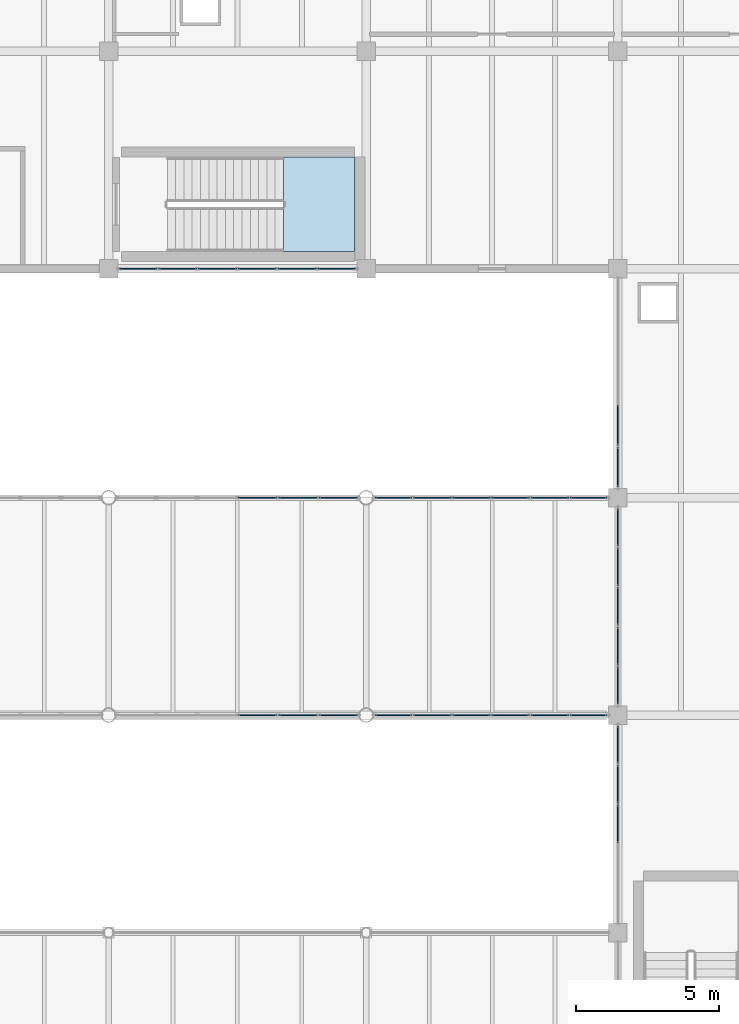
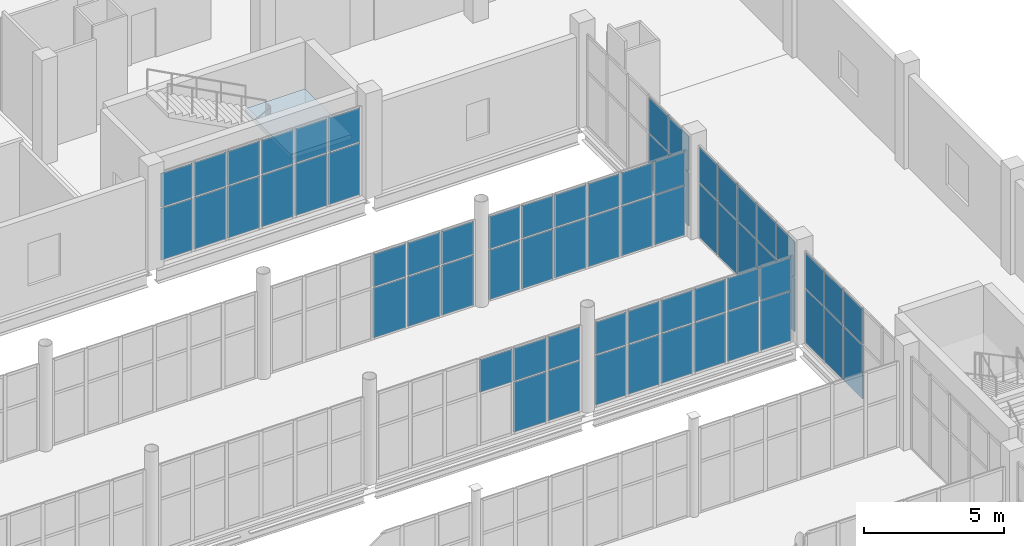
# One storey, part 140 of 172: 67 plates, 1 slab, 9 elements without a shape of their own.
"""IFC4 building model written with IfcOpenShell, lengths in metres."""

import ifcopenshell
import ifcopenshell.guid

model = None  # the IFC model being written
_history = None  # IfcOwnerHistory: only IFC2X3 demands one
_inside = {}  # id of a spatial element -> (the spatial element, [elements in it])
_under = {}  # id of a project, library or spatial element -> (it, [spatial elements below it])
_declared = {}  # id of a project -> (the project, [libraries it declares])
_typed = {}  # id of a type object -> (the type object, [elements of that type])
_made_of = {}  # id of a material, layer set ... -> (it, [elements and type objects made of it])


def new_model(schema):
    """Start an empty IFC model of exactly this schema.

    Asked for "IFC4X3", IfcOpenShell would pick the latest addendum, in which some entities
    have other attributes; the version numbers below select the first issue.
    IFC2X3 requires an IfcOwnerHistory on every rooted entity: one is made here for all.
    """
    global model, _history
    if schema == "IFC4X3":
        model = ifcopenshell.file(schema_version=(4, 3, 0, 0))
    else:
        model = ifcopenshell.file(schema=schema)
    _inside.clear()
    _under.clear()
    _declared.clear()
    _typed.clear()
    _made_of.clear()
    _history = None
    if model.schema == "IFC2X3":
        org = make("IfcOrganization", Name="unknown")
        user = make(
            "IfcPersonAndOrganization",
            ThePerson=make("IfcPerson", FamilyName="unknown"),
            TheOrganization=org,
        )
        app = make(
            "IfcApplication",
            ApplicationDeveloper=org,
            Version="unknown",
            ApplicationFullName="unknown",
            ApplicationIdentifier="unknown",
        )
        _history = make(
            "IfcOwnerHistory",
            OwningUser=user,
            OwningApplication=app,
            ChangeAction="ADDED",
            CreationDate=0,
        )
    return model


def make(cls, **values):
    """One entity of the class cls with the attributes given. An attribute that is None is left unset."""
    return model.create_entity(
        cls, **{name: value for name, value in values.items() if value is not None}
    )


def rooted(cls, **values):
    """An entity with a GlobalId (a new one), such as an element, a storey or a relation."""
    return make(cls, GlobalId=ifcopenshell.guid.new(), OwnerHistory=_history, **values)


def si_unit(unit_type, name, prefix=None):
    """IfcSIUnit, for example si_unit("LENGTHUNIT", "METRE", prefix="MILLI")."""
    return make("IfcSIUnit", UnitType=unit_type, Prefix=prefix, Name=name)


def assignment(units):
    """IfcUnitAssignment: the units of a project."""
    return None if units is None else make("IfcUnitAssignment", Units=units)


def point(xyz):
    """IfcCartesianPoint."""
    return None if xyz is None else make("IfcCartesianPoint", Coordinates=xyz)


def direction(xyz):
    """IfcDirection."""
    return None if xyz is None else make("IfcDirection", DirectionRatios=xyz)


def frame(location, z_axis=None, x_axis=None):
    """IfcAxis2Placement3D, a coordinate frame: its origin and axes. An axis left out is left unset."""
    return make(
        "IfcAxis2Placement3D",
        Location=point(location),
        Axis=direction(z_axis),
        RefDirection=direction(x_axis),
    )


def frame_2d(location, x_axis=None):
    """IfcAxis2Placement2D, a coordinate frame in the plane: its origin and x axis."""
    return make(
        "IfcAxis2Placement2D", Location=point(location), RefDirection=direction(x_axis)
    )


def origin():
    """The frame at (0, 0, 0) with its axes left unset."""
    return frame((0.0, 0.0, 0.0))


def origin_2d():
    """The frame at (0, 0) in the plane with its x axis left unset."""
    return frame_2d((0.0, 0.0))


def place(relative_to, where):
    """IfcLocalPlacement: puts the frame where relative to a parent placement (None: the world)."""
    return make(
        "IfcLocalPlacement", PlacementRelTo=relative_to, RelativePlacement=where
    )


def context(
    kind, dimensions, precision=None, world=None, true_north=None, identifier=None
):
    """IfcGeometricRepresentationContext, for example the 3D "Model" context."""
    return make(
        "IfcGeometricRepresentationContext",
        ContextIdentifier=identifier,
        ContextType=kind,
        CoordinateSpaceDimension=dimensions,
        Precision=precision,
        WorldCoordinateSystem=world,
        TrueNorth=true_north,
    )


def subcontext(parent, identifier, kind, view, scale=None):
    """IfcGeometricRepresentationSubContext, for example "Body" below "Model"."""
    return make(
        "IfcGeometricRepresentationSubContext",
        ContextIdentifier=identifier,
        ContextType=kind,
        ParentContext=parent,
        TargetScale=scale,
        TargetView=view,
    )


def project(units=None, contexts=None):
    """IfcProject with its units and contexts."""
    return rooted(
        "IfcProject",
        Name="project",
        RepresentationContexts=contexts,
        UnitsInContext=assignment(units),
    )


def spatial(cls, under=None, at=None, **own):
    """A site, building, storey or space (cls), placed at a placement, below another one or the project."""
    s = rooted(cls, ObjectPlacement=at, **own)
    if under is not None:
        _under.setdefault(under.id(), (under, []))[1].append(s)
    return s


def polyline(points):
    """IfcPolyline through the points."""
    return make("IfcPolyline", Points=[point(p) for p in points])


def profile(cls, at=None, kind="AREA", **sizes):
    """A parametric profile (cls). Its sizes go by their IFC names, for example OverallWidth=200.0."""
    return make(cls, ProfileType=kind, Position=at, **sizes)


def rectangle(**sizes):
    """IfcRectangleProfileDef."""
    return profile("IfcRectangleProfileDef", **sizes)


def outline(outer, holes=None, kind="AREA"):
    """IfcArbitraryClosedProfileDef: a profile drawn as a closed curve; with holes, ...WithVoids."""
    if holes is None:
        return make("IfcArbitraryClosedProfileDef", ProfileType=kind, OuterCurve=outer)
    return make(
        "IfcArbitraryProfileDefWithVoids",
        ProfileType=kind,
        OuterCurve=outer,
        InnerCurves=holes,
    )


def extrude(swept, where, along, depth):
    """IfcExtrudedAreaSolid: the profile swept, set in the frame where, extruded along a direction by depth."""
    return make(
        "IfcExtrudedAreaSolid",
        SweptArea=swept,
        Position=where,
        ExtrudedDirection=direction(along),
        Depth=depth,
    )


def shape(context_of_items, identifier, shape_type, items):
    """IfcShapeRepresentation: the items that make up one representation, for example the "Body"."""
    return make(
        "IfcShapeRepresentation",
        ContextOfItems=context_of_items,
        RepresentationIdentifier=identifier,
        RepresentationType=shape_type,
        Items=items,
    )


def material(Name=None, Category=None):
    """IfcMaterial."""
    return make("IfcMaterial", Name=Name, Category=Category)


def layer(
    of_material, thickness, ventilated=None, Name=None, Category=None, Priority=None
):
    """IfcMaterialLayer: one layer of a wall or slab, of a material (None: an air gap)."""
    return make(
        "IfcMaterialLayer",
        Material=of_material,
        LayerThickness=thickness,
        IsVentilated=ventilated,
        Name=Name,
        Category=Category,
        Priority=Priority,
    )


def layer_set(layers, Name=None):
    """IfcMaterialLayerSet."""
    return make("IfcMaterialLayerSet", MaterialLayers=layers, LayerSetName=Name)


def made_of(thing, what):
    """Note that an element or type object is made of a material, layer set ...; save() writes the relation."""
    if what is not None:
        _made_of.setdefault(what.id(), (what, []))[1].append(thing)
    return thing


def type_object(cls, material=None, **own):
    """A type object (cls), such as IfcWallType, which elements share."""
    return made_of(rooted(cls, **own), material)


def element(
    cls,
    number,
    at=None,
    inside=None,
    cuts=None,
    type_object=None,
    material=None,
    context=None,
    identifier="Body",
    shape_type=None,
    held_by="IfcProductDefinitionShape",
    body=None,
    shapes=None,
    **own,
):
    """One element of the class cls, such as IfcWall. Its Tag is "e" and its number.

    at: its placement. inside: the storey or other place that contains it. cuts: it is an
    opening in that element (IfcRelVoidsElement). A single representation is given by context,
    identifier, shape_type and body (its items); several are given by shapes. held_by: the class
    of the entity that holds the representations. save() writes the other relations.
    """
    e = rooted(cls, Tag="e%d" % number, ObjectPlacement=at, **own)
    if body is not None:
        shapes = [shape(context, identifier, shape_type, body)]
    if shapes is not None:
        e.Representation = make(held_by, Representations=shapes)
    if inside is not None:
        _inside.setdefault(inside.id(), (inside, []))[1].append(e)
    if cuts is not None:
        rooted(
            "IfcRelVoidsElement", RelatingBuildingElement=cuts, RelatedOpeningElement=e
        )
    if type_object is not None:
        _typed.setdefault(type_object.id(), (type_object, []))[1].append(e)
    return made_of(e, material)


def aggregate(whole, parts):
    """IfcRelAggregates: a whole, such as a stair, and the parts it consists of."""
    return rooted("IfcRelAggregates", RelatingObject=whole, RelatedObjects=parts)


def save(model, path):
    """Write the relations noted so far, then the file.

    IfcRelAggregates (storeys below a building ...), IfcRelContainedInSpatialStructure (elements
    in a storey), IfcRelDefinesByType, IfcRelAssociatesMaterial and IfcRelDeclares: one each for
    every whole, place, type object, material and project.
    """
    for whole, parts in _under.values():
        aggregate(whole, parts)
    for where, things in _inside.values():
        rooted(
            "IfcRelContainedInSpatialStructure",
            RelatedElements=things,
            RelatingStructure=where,
        )
    for kind, things in _typed.values():
        rooted("IfcRelDefinesByType", RelatedObjects=things, RelatingType=kind)
    for what, things in _made_of.values():
        rooted("IfcRelAssociatesMaterial", RelatedObjects=things, RelatingMaterial=what)
    for by, libraries in _declared.values():
        rooted("IfcRelDeclares", RelatingContext=by, RelatedDefinitions=libraries)
    model.write(path)


model = new_model("IFC4")

# Units and contexts
model_context = context("Model", 3, precision=1e-05, world=origin(), true_north=direction((0.0, 1.0)))
body_context = subcontext(model_context, "Body", "Model", "MODEL_VIEW")
ifc_project = project(units=[si_unit("LENGTHUNIT", "METRE"), si_unit("AREAUNIT", "SQUARE_METRE"), si_unit("VOLUMEUNIT", "CUBIC_METRE"), si_unit("PLANEANGLEUNIT", "RADIAN"), si_unit("MASSUNIT", "GRAM", prefix="KILO")], contexts=[model_context])

# Site, building, storey
site_placement = place(None, origin())
site = spatial("IfcSite", under=ifc_project, at=site_placement, CompositionType="ELEMENT")
building_placement = place(site_placement, origin())
building = spatial("IfcBuilding", under=site, at=building_placement, Name="Shengluoqiao Park Theatre", CompositionType="ELEMENT")
storey_placement = place(building_placement, frame((0.0, 0.0, 5.39990234375)))
storey = spatial("IfcBuildingStorey", under=building, at=storey_placement, Name="L01", CompositionType="ELEMENT", Elevation=5.39990234375)

# Curtain wall, plates
ifc_material_1 = material(Name="Aluminium 6063-T6", Category="aluminium")
curtain_wall_type_1 = type_object("IfcCurtainWallType", Name="ENV-CW-BRIDGE", PredefinedType="NOTDEFINED", material=ifc_material_1)
curtain_wall_1_placement = place(storey_placement, origin())
curtain_wall_1 = element("IfcCurtainWall", 1, at=curtain_wall_1_placement, inside=storey, type_object=curtain_wall_type_1, Name="L01 Curtain Wall CWX-L01-0097", PredefinedType="NOTDEFINED")
ifc_material_2 = material(Name="Insulated glass", Category="glass")
ifc_layer_1 = layer(ifc_material_2, 0.0380859375, Name="Insulated glass")
ifc_layer_set_1 = layer_set([ifc_layer_1], Name="Insulated glass")
plate_type = type_object("IfcPlateType", Name="ENV-GLZ-GL-38", PredefinedType="CURTAIN_PANEL", material=ifc_layer_set_1)
plate_1_placement = place(storey_placement, frame((144.60693359375, 68.39990234375, 2.293212890625), z_axis=(0.0, 0.0, 1.0), x_axis=(1.0, 0.0, 0.0)))
plate_1 = element("IfcPlate", 2, at=plate_1_placement, type_object=plate_type, Name="CW-03 panel 4.2", PredefinedType="CURTAIN_PANEL", context=body_context, shape_type="SweptSolid", body=[
    extrude(rectangle(XDim=1.35400390625, YDim=0.0380859375, at=origin_2d()), origin(), (0.0, 0.0, 1.0), 1.4189453125),
])
plate_2_placement = place(storey_placement, frame((146.02099609375, 68.39990234375, 0.06005859375), z_axis=(0.0, 0.0, 1.0), x_axis=(1.0, 0.0, 0.0)))
plate_2 = element("IfcPlate", 3, at=plate_2_placement, type_object=plate_type, Name="CW-03 panel 5.1", PredefinedType="CURTAIN_PANEL", context=body_context, shape_type="SweptSolid", body=[
    extrude(rectangle(XDim=1.35400390625, YDim=0.0380859375, at=origin_2d()), origin(), (0.0, 0.0, 1.0), 2.173095703125),
])
plate_3_placement = place(storey_placement, frame((146.02099609375, 68.39990234375, 2.293212890625), z_axis=(0.0, 0.0, 1.0), x_axis=(1.0, 0.0, 0.0)))
plate_3 = element("IfcPlate", 4, at=plate_3_placement, type_object=plate_type, Name="CW-03 panel 5.2", PredefinedType="CURTAIN_PANEL", context=body_context, shape_type="SweptSolid", body=[
    extrude(rectangle(XDim=1.35400390625, YDim=0.0380859375, at=origin_2d()), origin(), (0.0, 0.0, 1.0), 1.4189453125),
])
plate_4_placement = place(storey_placement, frame((147.419921875, 68.39990234375, 0.06005859375), z_axis=(0.0, 0.0, 1.0), x_axis=(1.0, 0.0, 0.0)))
plate_4 = element("IfcPlate", 5, at=plate_4_placement, type_object=plate_type, Name="CW-03 panel 6.1", PredefinedType="CURTAIN_PANEL", context=body_context, shape_type="SweptSolid", body=[
    extrude(rectangle(XDim=1.323974609375, YDim=0.0380859375, at=origin_2d()), origin(), (0.0, 0.0, 1.0), 2.173095703125),
])
plate_5_placement = place(storey_placement, frame((147.419921875, 68.39990234375, 2.293212890625), z_axis=(0.0, 0.0, 1.0), x_axis=(1.0, 0.0, 0.0)))
plate_5 = element("IfcPlate", 6, at=plate_5_placement, type_object=plate_type, Name="CW-03 panel 6.2", PredefinedType="CURTAIN_PANEL", context=body_context, shape_type="SweptSolid", body=[
    extrude(rectangle(XDim=1.323974609375, YDim=0.0380859375, at=origin_2d()), origin(), (0.0, 0.0, 1.0), 1.4189453125),
])
aggregate(curtain_wall_1, [plate_1, plate_2, plate_3, plate_4, plate_5])

curtain_wall_2_placement = place(storey_placement, origin())
curtain_wall_2 = element("IfcCurtainWall", 7, at=curtain_wall_2_placement, inside=storey, type_object=curtain_wall_type_1, Name="L01 Curtain Wall CWX-L01-0098", PredefinedType="NOTDEFINED")
plate_6_placement = place(storey_placement, frame((149.357421875, 68.39990234375, 0.06005859375), z_axis=(0.0, 0.0, 1.0), x_axis=(1.0, 0.0, 0.0)))
plate_6 = element("IfcPlate", 8, at=plate_6_placement, type_object=plate_type, Name="CW-03 panel 1.1", PredefinedType="CURTAIN_PANEL", context=body_context, shape_type="SweptSolid", body=[
    extrude(rectangle(XDim=1.27880859375, YDim=0.0380859375, at=origin_2d()), origin(), (0.0, 0.0, 1.0), 2.155029296875),
])
plate_7_placement = place(storey_placement, frame((149.357421875, 68.39990234375, 2.27490234375), z_axis=(0.0, 0.0, 1.0), x_axis=(1.0, 0.0, 0.0)))
plate_7 = element("IfcPlate", 9, at=plate_7_placement, type_object=plate_type, Name="CW-03 panel 1.2", PredefinedType="CURTAIN_PANEL", context=body_context, shape_type="SweptSolid", body=[
    extrude(rectangle(XDim=1.27880859375, YDim=0.0380859375, at=origin_2d()), origin(), (0.0, 0.0, 1.0), 1.406982421875),
])
plate_8_placement = place(storey_placement, frame((150.711181640625, 68.39990234375, 0.06005859375), z_axis=(0.0, 0.0, 1.0), x_axis=(1.0, 0.0, 0.0)))
plate_8 = element("IfcPlate", 10, at=plate_8_placement, type_object=plate_type, Name="CW-03 panel 2.1", PredefinedType="CURTAIN_PANEL", context=body_context, shape_type="SweptSolid", body=[
    extrude(rectangle(XDim=1.308837890625, YDim=0.0380859375, at=origin_2d()), origin(), (0.0, 0.0, 1.0), 2.155029296875),
])
plate_9_placement = place(storey_placement, frame((150.711181640625, 68.39990234375, 2.27490234375), z_axis=(0.0, 0.0, 1.0), x_axis=(1.0, 0.0, 0.0)))
plate_9 = element("IfcPlate", 11, at=plate_9_placement, type_object=plate_type, Name="CW-03 panel 2.2", PredefinedType="CURTAIN_PANEL", context=body_context, shape_type="SweptSolid", body=[
    extrude(rectangle(XDim=1.308837890625, YDim=0.0380859375, at=origin_2d()), origin(), (0.0, 0.0, 1.0), 1.406982421875),
])
plate_10_placement = place(storey_placement, frame((152.080078125, 68.39990234375, 0.06005859375), z_axis=(0.0, 0.0, 1.0), x_axis=(1.0, 0.0, 0.0)))
plate_10 = element("IfcPlate", 12, at=plate_10_placement, type_object=plate_type, Name="CW-03 panel 3.1", PredefinedType="CURTAIN_PANEL", context=body_context, shape_type="SweptSolid", body=[
    extrude(rectangle(XDim=1.308837890625, YDim=0.0380859375, at=origin_2d()), origin(), (0.0, 0.0, 1.0), 2.155029296875),
])
plate_11_placement = place(storey_placement, frame((152.080078125, 68.39990234375, 2.27490234375), z_axis=(0.0, 0.0, 1.0), x_axis=(1.0, 0.0, 0.0)))
plate_11 = element("IfcPlate", 13, at=plate_11_placement, type_object=plate_type, Name="CW-03 panel 3.2", PredefinedType="CURTAIN_PANEL", context=body_context, shape_type="SweptSolid", body=[
    extrude(rectangle(XDim=1.308837890625, YDim=0.0380859375, at=origin_2d()), origin(), (0.0, 0.0, 1.0), 1.406982421875),
])
plate_12_placement = place(storey_placement, frame((153.448974609375, 68.39990234375, 0.06005859375), z_axis=(0.0, 0.0, 1.0), x_axis=(1.0, 0.0, 0.0)))
plate_12 = element("IfcPlate", 14, at=plate_12_placement, type_object=plate_type, Name="CW-03 panel 4.1", PredefinedType="CURTAIN_PANEL", context=body_context, shape_type="SweptSolid", body=[
    extrude(rectangle(XDim=1.308837890625, YDim=0.0380859375, at=origin_2d()), origin(), (0.0, 0.0, 1.0), 2.155029296875),
])
plate_13_placement = place(storey_placement, frame((153.448974609375, 68.39990234375, 2.27490234375), z_axis=(0.0, 0.0, 1.0), x_axis=(1.0, 0.0, 0.0)))
plate_13 = element("IfcPlate", 15, at=plate_13_placement, type_object=plate_type, Name="CW-03 panel 4.2", PredefinedType="CURTAIN_PANEL", context=body_context, shape_type="SweptSolid", body=[
    extrude(rectangle(XDim=1.308837890625, YDim=0.0380859375, at=origin_2d()), origin(), (0.0, 0.0, 1.0), 1.406982421875),
])
plate_14_placement = place(storey_placement, frame((154.81787109375, 68.39990234375, 0.06005859375), z_axis=(0.0, 0.0, 1.0), x_axis=(1.0, 0.0, 0.0)))
plate_14 = element("IfcPlate", 16, at=plate_14_placement, type_object=plate_type, Name="CW-03 panel 5.1", PredefinedType="CURTAIN_PANEL", context=body_context, shape_type="SweptSolid", body=[
    extrude(rectangle(XDim=1.308837890625, YDim=0.0380859375, at=origin_2d()), origin(), (0.0, 0.0, 1.0), 2.155029296875),
])
plate_15_placement = place(storey_placement, frame((154.81787109375, 68.39990234375, 2.27490234375), z_axis=(0.0, 0.0, 1.0), x_axis=(1.0, 0.0, 0.0)))
plate_15 = element("IfcPlate", 17, at=plate_15_placement, type_object=plate_type, Name="CW-03 panel 5.2", PredefinedType="CURTAIN_PANEL", context=body_context, shape_type="SweptSolid", body=[
    extrude(rectangle(XDim=1.308837890625, YDim=0.0380859375, at=origin_2d()), origin(), (0.0, 0.0, 1.0), 1.406982421875),
])
plate_16_placement = place(storey_placement, frame((156.171630859375, 68.39990234375, 0.06005859375), z_axis=(0.0, 0.0, 1.0), x_axis=(1.0, 0.0, 0.0)))
plate_16 = element("IfcPlate", 18, at=plate_16_placement, type_object=plate_type, Name="CW-03 panel 6.1", PredefinedType="CURTAIN_PANEL", context=body_context, shape_type="SweptSolid", body=[
    extrude(rectangle(XDim=1.27880859375, YDim=0.0380859375, at=origin_2d()), origin(), (0.0, 0.0, 1.0), 2.155029296875),
])
plate_17_placement = place(storey_placement, frame((156.171630859375, 68.39990234375, 2.27490234375), z_axis=(0.0, 0.0, 1.0), x_axis=(1.0, 0.0, 0.0)))
plate_17 = element("IfcPlate", 19, at=plate_17_placement, type_object=plate_type, Name="CW-03 panel 6.2", PredefinedType="CURTAIN_PANEL", context=body_context, shape_type="SweptSolid", body=[
    extrude(rectangle(XDim=1.27880859375, YDim=0.0380859375, at=origin_2d()), origin(), (0.0, 0.0, 1.0), 1.406982421875),
])
aggregate(curtain_wall_2, [plate_6, plate_7, plate_8, plate_9, plate_10, plate_11, plate_12, plate_13, plate_14, plate_15, plate_16, plate_17])

curtain_wall_3_placement = place(storey_placement, origin())
curtain_wall_3 = element("IfcCurtainWall", 20, at=curtain_wall_3_placement, inside=storey, type_object=curtain_wall_type_1, Name="L01 Curtain Wall CWX-L01-0105", PredefinedType="NOTDEFINED")
plate_18_placement = place(storey_placement, frame((144.60693359375, 76.0, 0.06005859375), z_axis=(0.0, 0.0, 1.0), x_axis=(1.0, 0.0, 0.0)))
plate_18 = element("IfcPlate", 21, at=plate_18_placement, type_object=plate_type, Name="CW-03 panel 4.1", PredefinedType="CURTAIN_PANEL", context=body_context, shape_type="SweptSolid", body=[
    extrude(rectangle(XDim=1.35400390625, YDim=0.0380859375, at=origin_2d()), origin(), (0.0, 0.0, 1.0), 2.173095703125),
])
plate_19_placement = place(storey_placement, frame((144.60693359375, 76.0, 2.293212890625), z_axis=(0.0, 0.0, 1.0), x_axis=(1.0, 0.0, 0.0)))
plate_19 = element("IfcPlate", 22, at=plate_19_placement, type_object=plate_type, Name="CW-03 panel 4.2", PredefinedType="CURTAIN_PANEL", context=body_context, shape_type="SweptSolid", body=[
    extrude(rectangle(XDim=1.35400390625, YDim=0.0380859375, at=origin_2d()), origin(), (0.0, 0.0, 1.0), 1.4189453125),
])
plate_20_placement = place(storey_placement, frame((146.02099609375, 76.0, 0.06005859375), z_axis=(0.0, 0.0, 1.0), x_axis=(1.0, 0.0, 0.0)))
plate_20 = element("IfcPlate", 23, at=plate_20_placement, type_object=plate_type, Name="CW-03 panel 5.1", PredefinedType="CURTAIN_PANEL", context=body_context, shape_type="SweptSolid", body=[
    extrude(rectangle(XDim=1.35400390625, YDim=0.0380859375, at=origin_2d()), origin(), (0.0, 0.0, 1.0), 2.173095703125),
])
plate_21_placement = place(storey_placement, frame((146.02099609375, 76.0, 2.293212890625), z_axis=(0.0, 0.0, 1.0), x_axis=(1.0, 0.0, 0.0)))
plate_21 = element("IfcPlate", 24, at=plate_21_placement, type_object=plate_type, Name="CW-03 panel 5.2", PredefinedType="CURTAIN_PANEL", context=body_context, shape_type="SweptSolid", body=[
    extrude(rectangle(XDim=1.35400390625, YDim=0.0380859375, at=origin_2d()), origin(), (0.0, 0.0, 1.0), 1.4189453125),
])
plate_22_placement = place(storey_placement, frame((147.419921875, 76.0, 0.06005859375), z_axis=(0.0, 0.0, 1.0), x_axis=(1.0, 0.0, 0.0)))
plate_22 = element("IfcPlate", 25, at=plate_22_placement, type_object=plate_type, Name="CW-03 panel 6.1", PredefinedType="CURTAIN_PANEL", context=body_context, shape_type="SweptSolid", body=[
    extrude(rectangle(XDim=1.323974609375, YDim=0.0380859375, at=origin_2d()), origin(), (0.0, 0.0, 1.0), 2.173095703125),
])
plate_23_placement = place(storey_placement, frame((147.419921875, 76.0, 2.293212890625), z_axis=(0.0, 0.0, 1.0), x_axis=(1.0, 0.0, 0.0)))
plate_23 = element("IfcPlate", 26, at=plate_23_placement, type_object=plate_type, Name="CW-03 panel 6.2", PredefinedType="CURTAIN_PANEL", context=body_context, shape_type="SweptSolid", body=[
    extrude(rectangle(XDim=1.323974609375, YDim=0.0380859375, at=origin_2d()), origin(), (0.0, 0.0, 1.0), 1.4189453125),
])
aggregate(curtain_wall_3, [plate_18, plate_19, plate_20, plate_21, plate_22, plate_23])

curtain_wall_4_placement = place(storey_placement, origin())
curtain_wall_4 = element("IfcCurtainWall", 27, at=curtain_wall_4_placement, inside=storey, type_object=curtain_wall_type_1, Name="L01 Curtain Wall CWX-L01-0106", PredefinedType="NOTDEFINED")
plate_24_placement = place(storey_placement, frame((149.357421875, 76.0, 0.06005859375), z_axis=(0.0, 0.0, 1.0), x_axis=(1.0, 0.0, 0.0)))
plate_24 = element("IfcPlate", 28, at=plate_24_placement, type_object=plate_type, Name="CW-03 panel 1.1", PredefinedType="CURTAIN_PANEL", context=body_context, shape_type="SweptSolid", body=[
    extrude(rectangle(XDim=1.27880859375, YDim=0.0380859375, at=origin_2d()), origin(), (0.0, 0.0, 1.0), 2.155029296875),
])
plate_25_placement = place(storey_placement, frame((149.357421875, 76.0, 2.27490234375), z_axis=(0.0, 0.0, 1.0), x_axis=(1.0, 0.0, 0.0)))
plate_25 = element("IfcPlate", 29, at=plate_25_placement, type_object=plate_type, Name="CW-03 panel 1.2", PredefinedType="CURTAIN_PANEL", context=body_context, shape_type="SweptSolid", body=[
    extrude(rectangle(XDim=1.27880859375, YDim=0.0380859375, at=origin_2d()), origin(), (0.0, 0.0, 1.0), 1.406982421875),
])
plate_26_placement = place(storey_placement, frame((150.711181640625, 76.0, 0.06005859375), z_axis=(0.0, 0.0, 1.0), x_axis=(1.0, 0.0, 0.0)))
plate_26 = element("IfcPlate", 30, at=plate_26_placement, type_object=plate_type, Name="CW-03 panel 2.1", PredefinedType="CURTAIN_PANEL", context=body_context, shape_type="SweptSolid", body=[
    extrude(rectangle(XDim=1.308837890625, YDim=0.0380859375, at=origin_2d()), origin(), (0.0, 0.0, 1.0), 2.155029296875),
])
plate_27_placement = place(storey_placement, frame((150.711181640625, 76.0, 2.27490234375), z_axis=(0.0, 0.0, 1.0), x_axis=(1.0, 0.0, 0.0)))
plate_27 = element("IfcPlate", 31, at=plate_27_placement, type_object=plate_type, Name="CW-03 panel 2.2", PredefinedType="CURTAIN_PANEL", context=body_context, shape_type="SweptSolid", body=[
    extrude(rectangle(XDim=1.308837890625, YDim=0.0380859375, at=origin_2d()), origin(), (0.0, 0.0, 1.0), 1.406982421875),
])
plate_28_placement = place(storey_placement, frame((152.080078125, 76.0, 0.06005859375), z_axis=(0.0, 0.0, 1.0), x_axis=(1.0, 0.0, 0.0)))
plate_28 = element("IfcPlate", 32, at=plate_28_placement, type_object=plate_type, Name="CW-03 panel 3.1", PredefinedType="CURTAIN_PANEL", context=body_context, shape_type="SweptSolid", body=[
    extrude(rectangle(XDim=1.308837890625, YDim=0.0380859375, at=origin_2d()), origin(), (0.0, 0.0, 1.0), 2.155029296875),
])
plate_29_placement = place(storey_placement, frame((152.080078125, 76.0, 2.27490234375), z_axis=(0.0, 0.0, 1.0), x_axis=(1.0, 0.0, 0.0)))
plate_29 = element("IfcPlate", 33, at=plate_29_placement, type_object=plate_type, Name="CW-03 panel 3.2", PredefinedType="CURTAIN_PANEL", context=body_context, shape_type="SweptSolid", body=[
    extrude(rectangle(XDim=1.308837890625, YDim=0.0380859375, at=origin_2d()), origin(), (0.0, 0.0, 1.0), 1.406982421875),
])
plate_30_placement = place(storey_placement, frame((153.448974609375, 76.0, 0.06005859375), z_axis=(0.0, 0.0, 1.0), x_axis=(1.0, 0.0, 0.0)))
plate_30 = element("IfcPlate", 34, at=plate_30_placement, type_object=plate_type, Name="CW-03 panel 4.1", PredefinedType="CURTAIN_PANEL", context=body_context, shape_type="SweptSolid", body=[
    extrude(rectangle(XDim=1.308837890625, YDim=0.0380859375, at=origin_2d()), origin(), (0.0, 0.0, 1.0), 2.155029296875),
])
plate_31_placement = place(storey_placement, frame((153.448974609375, 76.0, 2.27490234375), z_axis=(0.0, 0.0, 1.0), x_axis=(1.0, 0.0, 0.0)))
plate_31 = element("IfcPlate", 35, at=plate_31_placement, type_object=plate_type, Name="CW-03 panel 4.2", PredefinedType="CURTAIN_PANEL", context=body_context, shape_type="SweptSolid", body=[
    extrude(rectangle(XDim=1.308837890625, YDim=0.0380859375, at=origin_2d()), origin(), (0.0, 0.0, 1.0), 1.406982421875),
])
plate_32_placement = place(storey_placement, frame((154.81787109375, 76.0, 0.06005859375), z_axis=(0.0, 0.0, 1.0), x_axis=(1.0, 0.0, 0.0)))
plate_32 = element("IfcPlate", 36, at=plate_32_placement, type_object=plate_type, Name="CW-03 panel 5.1", PredefinedType="CURTAIN_PANEL", context=body_context, shape_type="SweptSolid", body=[
    extrude(rectangle(XDim=1.308837890625, YDim=0.0380859375, at=origin_2d()), origin(), (0.0, 0.0, 1.0), 2.155029296875),
])
plate_33_placement = place(storey_placement, frame((154.81787109375, 76.0, 2.27490234375), z_axis=(0.0, 0.0, 1.0), x_axis=(1.0, 0.0, 0.0)))
plate_33 = element("IfcPlate", 37, at=plate_33_placement, type_object=plate_type, Name="CW-03 panel 5.2", PredefinedType="CURTAIN_PANEL", context=body_context, shape_type="SweptSolid", body=[
    extrude(rectangle(XDim=1.308837890625, YDim=0.0380859375, at=origin_2d()), origin(), (0.0, 0.0, 1.0), 1.406982421875),
])
plate_34_placement = place(storey_placement, frame((156.171630859375, 76.0, 0.06005859375), z_axis=(0.0, 0.0, 1.0), x_axis=(1.0, 0.0, 0.0)))
plate_34 = element("IfcPlate", 38, at=plate_34_placement, type_object=plate_type, Name="CW-03 panel 6.1", PredefinedType="CURTAIN_PANEL", context=body_context, shape_type="SweptSolid", body=[
    extrude(rectangle(XDim=1.27880859375, YDim=0.0380859375, at=origin_2d()), origin(), (0.0, 0.0, 1.0), 2.155029296875),
])
plate_35_placement = place(storey_placement, frame((156.171630859375, 76.0, 2.27490234375), z_axis=(0.0, 0.0, 1.0), x_axis=(1.0, 0.0, 0.0)))
plate_35 = element("IfcPlate", 39, at=plate_35_placement, type_object=plate_type, Name="CW-03 panel 6.2", PredefinedType="CURTAIN_PANEL", context=body_context, shape_type="SweptSolid", body=[
    extrude(rectangle(XDim=1.27880859375, YDim=0.0380859375, at=origin_2d()), origin(), (0.0, 0.0, 1.0), 1.406982421875),
])
aggregate(curtain_wall_4, [plate_24, plate_25, plate_26, plate_27, plate_28, plate_29, plate_30, plate_31, plate_32, plate_33, plate_34, plate_35])

curtain_wall_type_2 = type_object("IfcCurtainWallType", Name="ENV-CW-CLERE", PredefinedType="NOTDEFINED", material=ifc_material_1)
curtain_wall_5_placement = place(storey_placement, origin())
curtain_wall_5 = element("IfcCurtainWall", 40, at=curtain_wall_5_placement, inside=storey, type_object=curtain_wall_type_2, Name="L01 Curtain Wall CWX-L01-0178", PredefinedType="NOTDEFINED")
plate_36_placement = place(storey_placement, frame((140.439208984375, 84.0, 0.06005859375), z_axis=(0.0, 0.0, 1.0), x_axis=(1.0, 0.0, 0.0)))
plate_36 = element("IfcPlate", 41, at=plate_36_placement, type_object=plate_type, Name="CW-06 panel 1.1", PredefinedType="CURTAIN_PANEL", context=body_context, shape_type="SweptSolid", body=[
    extrude(rectangle(XDim=1.30029296875, YDim=0.0380859375, at=origin_2d()), origin(), (0.0, 0.0, 1.0), 2.2490234375),
])
plate_37_placement = place(storey_placement, frame((140.439208984375, 84.0, 2.369140625), z_axis=(0.0, 0.0, 1.0), x_axis=(1.0, 0.0, 0.0)))
plate_37 = element("IfcPlate", 42, at=plate_37_placement, type_object=plate_type, Name="CW-06 panel 1.2", PredefinedType="CURTAIN_PANEL", context=body_context, shape_type="SweptSolid", body=[
    extrude(rectangle(XDim=1.30029296875, YDim=0.0380859375, at=origin_2d()), origin(), (0.0, 0.0, 1.0), 1.468994140625),
])
plate_38_placement = place(storey_placement, frame((141.814453125, 84.0, 0.06005859375), z_axis=(0.0, 0.0, 1.0), x_axis=(1.0, 0.0, 0.0)))
plate_38 = element("IfcPlate", 43, at=plate_38_placement, type_object=plate_type, Name="CW-06 panel 2.1", PredefinedType="CURTAIN_PANEL", context=body_context, shape_type="SweptSolid", body=[
    extrude(rectangle(XDim=1.330322265625, YDim=0.0380859375, at=origin_2d()), origin(), (0.0, 0.0, 1.0), 2.2490234375),
])
plate_39_placement = place(storey_placement, frame((141.814453125, 84.0, 2.369140625), z_axis=(0.0, 0.0, 1.0), x_axis=(1.0, 0.0, 0.0)))
plate_39 = element("IfcPlate", 44, at=plate_39_placement, type_object=plate_type, Name="CW-06 panel 2.2", PredefinedType="CURTAIN_PANEL", context=body_context, shape_type="SweptSolid", body=[
    extrude(rectangle(XDim=1.330322265625, YDim=0.0380859375, at=origin_2d()), origin(), (0.0, 0.0, 1.0), 1.468994140625),
])
plate_40_placement = place(storey_placement, frame((143.204833984375, 84.0, 0.06005859375), z_axis=(0.0, 0.0, 1.0), x_axis=(1.0, 0.0, 0.0)))
plate_40 = element("IfcPlate", 45, at=plate_40_placement, type_object=plate_type, Name="CW-06 panel 3.1", PredefinedType="CURTAIN_PANEL", context=body_context, shape_type="SweptSolid", body=[
    extrude(rectangle(XDim=1.330322265625, YDim=0.0380859375, at=origin_2d()), origin(), (0.0, 0.0, 1.0), 2.2490234375),
])
plate_41_placement = place(storey_placement, frame((143.204833984375, 84.0, 2.369140625), z_axis=(0.0, 0.0, 1.0), x_axis=(1.0, 0.0, 0.0)))
plate_41 = element("IfcPlate", 46, at=plate_41_placement, type_object=plate_type, Name="CW-06 panel 3.2", PredefinedType="CURTAIN_PANEL", context=body_context, shape_type="SweptSolid", body=[
    extrude(rectangle(XDim=1.330322265625, YDim=0.0380859375, at=origin_2d()), origin(), (0.0, 0.0, 1.0), 1.468994140625),
])
plate_42_placement = place(storey_placement, frame((144.59521484375, 84.0, 0.06005859375), z_axis=(0.0, 0.0, 1.0), x_axis=(1.0, 0.0, 0.0)))
plate_42 = element("IfcPlate", 47, at=plate_42_placement, type_object=plate_type, Name="CW-06 panel 4.1", PredefinedType="CURTAIN_PANEL", context=body_context, shape_type="SweptSolid", body=[
    extrude(rectangle(XDim=1.330322265625, YDim=0.0380859375, at=origin_2d()), origin(), (0.0, 0.0, 1.0), 2.2490234375),
])
plate_43_placement = place(storey_placement, frame((144.59521484375, 84.0, 2.369140625), z_axis=(0.0, 0.0, 1.0), x_axis=(1.0, 0.0, 0.0)))
plate_43 = element("IfcPlate", 48, at=plate_43_placement, type_object=plate_type, Name="CW-06 panel 4.2", PredefinedType="CURTAIN_PANEL", context=body_context, shape_type="SweptSolid", body=[
    extrude(rectangle(XDim=1.330322265625, YDim=0.0380859375, at=origin_2d()), origin(), (0.0, 0.0, 1.0), 1.468994140625),
])
plate_44_placement = place(storey_placement, frame((145.985595703125, 84.0, 0.06005859375), z_axis=(0.0, 0.0, 1.0), x_axis=(1.0, 0.0, 0.0)))
plate_44 = element("IfcPlate", 49, at=plate_44_placement, type_object=plate_type, Name="CW-06 panel 5.1", PredefinedType="CURTAIN_PANEL", context=body_context, shape_type="SweptSolid", body=[
    extrude(rectangle(XDim=1.330322265625, YDim=0.0380859375, at=origin_2d()), origin(), (0.0, 0.0, 1.0), 2.2490234375),
])
plate_45_placement = place(storey_placement, frame((145.985595703125, 84.0, 2.369140625), z_axis=(0.0, 0.0, 1.0), x_axis=(1.0, 0.0, 0.0)))
plate_45 = element("IfcPlate", 50, at=plate_45_placement, type_object=plate_type, Name="CW-06 panel 5.2", PredefinedType="CURTAIN_PANEL", context=body_context, shape_type="SweptSolid", body=[
    extrude(rectangle(XDim=1.330322265625, YDim=0.0380859375, at=origin_2d()), origin(), (0.0, 0.0, 1.0), 1.468994140625),
])
plate_46_placement = place(storey_placement, frame((147.36083984375, 84.0, 0.06005859375), z_axis=(0.0, 0.0, 1.0), x_axis=(1.0, 0.0, 0.0)))
plate_46 = element("IfcPlate", 51, at=plate_46_placement, type_object=plate_type, Name="CW-06 panel 6.1", PredefinedType="CURTAIN_PANEL", context=body_context, shape_type="SweptSolid", body=[
    extrude(rectangle(XDim=1.30029296875, YDim=0.0380859375, at=origin_2d()), origin(), (0.0, 0.0, 1.0), 2.2490234375),
])
plate_47_placement = place(storey_placement, frame((147.36083984375, 84.0, 2.369140625), z_axis=(0.0, 0.0, 1.0), x_axis=(1.0, 0.0, 0.0)))
plate_47 = element("IfcPlate", 52, at=plate_47_placement, type_object=plate_type, Name="CW-06 panel 6.2", PredefinedType="CURTAIN_PANEL", context=body_context, shape_type="SweptSolid", body=[
    extrude(rectangle(XDim=1.30029296875, YDim=0.0380859375, at=origin_2d()), origin(), (0.0, 0.0, 1.0), 1.468994140625),
])
aggregate(curtain_wall_5, [plate_36, plate_37, plate_38, plate_39, plate_40, plate_41, plate_42, plate_43, plate_44, plate_45, plate_46, plate_47])

curtain_wall_type_3 = type_object("IfcCurtainWallType", Name="ENV-CW-COURT", PredefinedType="NOTDEFINED", material=ifc_material_1)
curtain_wall_6_placement = place(storey_placement, origin())
curtain_wall_6 = element("IfcCurtainWall", 53, at=curtain_wall_6_placement, inside=storey, type_object=curtain_wall_type_3, Name="L01 Curtain Wall CWX-L01-0186", PredefinedType="NOTDEFINED")
plate_48_placement = place(storey_placement, frame((157.199951171875, 64.60009765625, 0.06005859375), z_axis=(0.0, 0.0, 1.0), x_axis=(0.0, 1.0, 0.0)))
plate_48 = element("IfcPlate", 54, at=plate_48_placement, type_object=plate_type, Name="CW-05 panel 3.1", PredefinedType="CURTAIN_PANEL", context=body_context, shape_type="SweptSolid", body=[
    extrude(rectangle(XDim=1.328369140625, YDim=0.0380859375, at=origin_2d()), origin(), (0.0, 0.0, 1.0), 2.3359375),
])
plate_49_placement = place(storey_placement, frame((157.199951171875, 64.60009765625, 2.4560546875), z_axis=(0.0, 0.0, 1.0), x_axis=(0.0, 1.0, 0.0)))
plate_49 = element("IfcPlate", 55, at=plate_49_placement, type_object=plate_type, Name="CW-05 panel 3.2", PredefinedType="CURTAIN_PANEL", context=body_context, shape_type="SweptSolid", body=[
    extrude(rectangle(XDim=1.328369140625, YDim=0.0380859375, at=origin_2d()), origin(), (0.0, 0.0, 1.0), 1.528076171875),
])
plate_50_placement = place(storey_placement, frame((157.199951171875, 65.98828125, 0.06005859375), z_axis=(0.0, 0.0, 1.0), x_axis=(0.0, 1.0, 0.0)))
plate_50 = element("IfcPlate", 56, at=plate_50_placement, type_object=plate_type, Name="CW-05 panel 4.1", PredefinedType="CURTAIN_PANEL", context=body_context, shape_type="SweptSolid", body=[
    extrude(rectangle(XDim=1.328369140625, YDim=0.0380859375, at=origin_2d()), origin(), (0.0, 0.0, 1.0), 2.3359375),
])
plate_51_placement = place(storey_placement, frame((157.199951171875, 65.98828125, 2.4560546875), z_axis=(0.0, 0.0, 1.0), x_axis=(0.0, 1.0, 0.0)))
plate_51 = element("IfcPlate", 57, at=plate_51_placement, type_object=plate_type, Name="CW-05 panel 4.2", PredefinedType="CURTAIN_PANEL", context=body_context, shape_type="SweptSolid", body=[
    extrude(rectangle(XDim=1.328369140625, YDim=0.0380859375, at=origin_2d()), origin(), (0.0, 0.0, 1.0), 1.528076171875),
])
plate_52_placement = place(storey_placement, frame((157.199951171875, 67.36181640625, 0.06005859375), z_axis=(0.0, 0.0, 1.0), x_axis=(0.0, 1.0, 0.0)))
plate_52 = element("IfcPlate", 58, at=plate_52_placement, type_object=plate_type, Name="CW-05 panel 5.1", PredefinedType="CURTAIN_PANEL", context=body_context, shape_type="SweptSolid", body=[
    extrude(rectangle(XDim=1.29833984375, YDim=0.0380859375, at=origin_2d()), origin(), (0.0, 0.0, 1.0), 2.3359375),
])
plate_53_placement = place(storey_placement, frame((157.199951171875, 67.36181640625, 2.4560546875), z_axis=(0.0, 0.0, 1.0), x_axis=(0.0, 1.0, 0.0)))
plate_53 = element("IfcPlate", 59, at=plate_53_placement, type_object=plate_type, Name="CW-05 panel 5.2", PredefinedType="CURTAIN_PANEL", context=body_context, shape_type="SweptSolid", body=[
    extrude(rectangle(XDim=1.29833984375, YDim=0.0380859375, at=origin_2d()), origin(), (0.0, 0.0, 1.0), 1.528076171875),
])
aggregate(curtain_wall_6, [plate_48, plate_49, plate_50, plate_51, plate_52, plate_53])

curtain_wall_7_placement = place(storey_placement, origin())
curtain_wall_7 = element("IfcCurtainWall", 60, at=curtain_wall_7_placement, inside=storey, type_object=curtain_wall_type_3, Name="L01 Curtain Wall CWX-L01-0187", PredefinedType="NOTDEFINED")
plate_54_placement = place(storey_placement, frame((157.199951171875, 69.438232421875, 0.06005859375), z_axis=(0.0, 0.0, 1.0), x_axis=(0.0, 1.0, 0.0)))
plate_54 = element("IfcPlate", 61, at=plate_54_placement, type_object=plate_type, Name="CW-05 panel 1.1", PredefinedType="CURTAIN_PANEL", context=body_context, shape_type="SweptSolid", body=[
    extrude(rectangle(XDim=1.29833984375, YDim=0.0380859375, at=origin_2d()), origin(), (0.0, 0.0, 1.0), 2.3359375),
])
plate_55_placement = place(storey_placement, frame((157.199951171875, 69.438232421875, 2.4560546875), z_axis=(0.0, 0.0, 1.0), x_axis=(0.0, 1.0, 0.0)))
plate_55 = element("IfcPlate", 62, at=plate_55_placement, type_object=plate_type, Name="CW-05 panel 1.2", PredefinedType="CURTAIN_PANEL", context=body_context, shape_type="SweptSolid", body=[
    extrude(rectangle(XDim=1.29833984375, YDim=0.0380859375, at=origin_2d()), origin(), (0.0, 0.0, 1.0), 1.528076171875),
])
plate_56_placement = place(storey_placement, frame((157.199951171875, 70.8115234375, 0.06005859375), z_axis=(0.0, 0.0, 1.0), x_axis=(0.0, 1.0, 0.0)))
plate_56 = element("IfcPlate", 63, at=plate_56_placement, type_object=plate_type, Name="CW-05 panel 2.1", PredefinedType="CURTAIN_PANEL", context=body_context, shape_type="SweptSolid", body=[
    extrude(rectangle(XDim=1.328369140625, YDim=0.0380859375, at=origin_2d()), origin(), (0.0, 0.0, 1.0), 2.3359375),
])
plate_57_placement = place(storey_placement, frame((157.199951171875, 70.8115234375, 2.4560546875), z_axis=(0.0, 0.0, 1.0), x_axis=(0.0, 1.0, 0.0)))
plate_57 = element("IfcPlate", 64, at=plate_57_placement, type_object=plate_type, Name="CW-05 panel 2.2", PredefinedType="CURTAIN_PANEL", context=body_context, shape_type="SweptSolid", body=[
    extrude(rectangle(XDim=1.328369140625, YDim=0.0380859375, at=origin_2d()), origin(), (0.0, 0.0, 1.0), 1.528076171875),
])
plate_58_placement = place(storey_placement, frame((157.199951171875, 72.199951171875, 0.06005859375), z_axis=(0.0, 0.0, 1.0), x_axis=(0.0, 1.0, 0.0)))
plate_58 = element("IfcPlate", 65, at=plate_58_placement, type_object=plate_type, Name="CW-05 panel 3.1", PredefinedType="CURTAIN_PANEL", context=body_context, shape_type="SweptSolid", body=[
    extrude(rectangle(XDim=1.328369140625, YDim=0.0380859375, at=origin_2d()), origin(), (0.0, 0.0, 1.0), 2.3359375),
])
plate_59_placement = place(storey_placement, frame((157.199951171875, 72.199951171875, 2.4560546875), z_axis=(0.0, 0.0, 1.0), x_axis=(0.0, 1.0, 0.0)))
plate_59 = element("IfcPlate", 66, at=plate_59_placement, type_object=plate_type, Name="CW-05 panel 3.2", PredefinedType="CURTAIN_PANEL", context=body_context, shape_type="SweptSolid", body=[
    extrude(rectangle(XDim=1.328369140625, YDim=0.0380859375, at=origin_2d()), origin(), (0.0, 0.0, 1.0), 1.528076171875),
])
plate_60_placement = place(storey_placement, frame((157.199951171875, 73.58837890625, 0.06005859375), z_axis=(0.0, 0.0, 1.0), x_axis=(0.0, 1.0, 0.0)))
plate_60 = element("IfcPlate", 67, at=plate_60_placement, type_object=plate_type, Name="CW-05 panel 4.1", PredefinedType="CURTAIN_PANEL", context=body_context, shape_type="SweptSolid", body=[
    extrude(rectangle(XDim=1.328369140625, YDim=0.0380859375, at=origin_2d()), origin(), (0.0, 0.0, 1.0), 2.3359375),
])
plate_61_placement = place(storey_placement, frame((157.199951171875, 73.58837890625, 2.4560546875), z_axis=(0.0, 0.0, 1.0), x_axis=(0.0, 1.0, 0.0)))
plate_61 = element("IfcPlate", 68, at=plate_61_placement, type_object=plate_type, Name="CW-05 panel 4.2", PredefinedType="CURTAIN_PANEL", context=body_context, shape_type="SweptSolid", body=[
    extrude(rectangle(XDim=1.328369140625, YDim=0.0380859375, at=origin_2d()), origin(), (0.0, 0.0, 1.0), 1.528076171875),
])
plate_62_placement = place(storey_placement, frame((157.199951171875, 74.9619140625, 0.06005859375), z_axis=(0.0, 0.0, 1.0), x_axis=(0.0, 1.0, 0.0)))
plate_62 = element("IfcPlate", 69, at=plate_62_placement, type_object=plate_type, Name="CW-05 panel 5.1", PredefinedType="CURTAIN_PANEL", context=body_context, shape_type="SweptSolid", body=[
    extrude(rectangle(XDim=1.29833984375, YDim=0.0380859375, at=origin_2d()), origin(), (0.0, 0.0, 1.0), 2.3359375),
])
plate_63_placement = place(storey_placement, frame((157.199951171875, 74.9619140625, 2.4560546875), z_axis=(0.0, 0.0, 1.0), x_axis=(0.0, 1.0, 0.0)))
plate_63 = element("IfcPlate", 70, at=plate_63_placement, type_object=plate_type, Name="CW-05 panel 5.2", PredefinedType="CURTAIN_PANEL", context=body_context, shape_type="SweptSolid", body=[
    extrude(rectangle(XDim=1.29833984375, YDim=0.0380859375, at=origin_2d()), origin(), (0.0, 0.0, 1.0), 1.528076171875),
])
aggregate(curtain_wall_7, [plate_54, plate_55, plate_56, plate_57, plate_58, plate_59, plate_60, plate_61, plate_62, plate_63])

curtain_wall_8_placement = place(storey_placement, origin())
curtain_wall_8 = element("IfcCurtainWall", 71, at=curtain_wall_8_placement, inside=storey, type_object=curtain_wall_type_3, Name="L01 Curtain Wall CWX-L01-0188", PredefinedType="NOTDEFINED")
plate_64_placement = place(storey_placement, frame((157.199951171875, 77.078125, 0.06005859375), z_axis=(0.0, 0.0, 1.0), x_axis=(0.0, 1.0, 0.0)))
plate_64 = element("IfcPlate", 72, at=plate_64_placement, type_object=plate_type, Name="CW-05 panel 1.1", PredefinedType="CURTAIN_PANEL", context=body_context, shape_type="SweptSolid", body=[
    extrude(rectangle(XDim=1.37841796875, YDim=0.0380859375, at=origin_2d()), origin(), (0.0, 0.0, 1.0), 2.3359375),
])
plate_65_placement = place(storey_placement, frame((157.199951171875, 77.078125, 2.4560546875), z_axis=(0.0, 0.0, 1.0), x_axis=(0.0, 1.0, 0.0)))
plate_65 = element("IfcPlate", 73, at=plate_65_placement, type_object=plate_type, Name="CW-05 panel 1.2", PredefinedType="CURTAIN_PANEL", context=body_context, shape_type="SweptSolid", body=[
    extrude(rectangle(XDim=1.37841796875, YDim=0.0380859375, at=origin_2d()), origin(), (0.0, 0.0, 1.0), 1.528076171875),
])
plate_66_placement = place(storey_placement, frame((157.199951171875, 78.531494140625, 0.06005859375), z_axis=(0.0, 0.0, 1.0), x_axis=(0.0, 1.0, 0.0)))
plate_66 = element("IfcPlate", 74, at=plate_66_placement, type_object=plate_type, Name="CW-05 panel 2.1", PredefinedType="CURTAIN_PANEL", context=body_context, shape_type="SweptSolid", body=[
    extrude(rectangle(XDim=1.408447265625, YDim=0.0380859375, at=origin_2d()), origin(), (0.0, 0.0, 1.0), 2.3359375),
])
plate_67_placement = place(storey_placement, frame((157.199951171875, 78.531494140625, 2.4560546875), z_axis=(0.0, 0.0, 1.0), x_axis=(0.0, 1.0, 0.0)))
plate_67 = element("IfcPlate", 75, at=plate_67_placement, type_object=plate_type, Name="CW-05 panel 2.2", PredefinedType="CURTAIN_PANEL", context=body_context, shape_type="SweptSolid", body=[
    extrude(rectangle(XDim=1.408447265625, YDim=0.0380859375, at=origin_2d()), origin(), (0.0, 0.0, 1.0), 1.528076171875),
])
aggregate(curtain_wall_8, [plate_64, plate_65, plate_66, plate_67])

# Stair, slab
ifc_material_3 = material(Name="Concrete C40", Category="concrete")
stair_type = type_object("IfcStairType", Name="INT-STR-CORE", PredefinedType="HALF_TURN_STAIR", material=ifc_material_3)
stair_placement = place(storey_placement, origin())
stair = element("IfcStair", 76, at=stair_placement, inside=storey, type_object=stair_type, Name="L01 Upper Backstage Escape Stair 10", PredefinedType="HALF_TURN_STAIR")
ifc_layer_2 = layer(ifc_material_3, 0.199951171875, Name="Concrete C40")
ifc_layer_set_2 = layer_set([ifc_layer_2], Name="Concrete C40")
slab_type = type_object("IfcSlabType", Name="INT-LND-SL-200", PredefinedType="LANDING", material=ifc_layer_set_2)
slab_placement = place(storey_placement, frame((0.0, 0.0, 2.10009765625)))
slab = element("IfcSlab", 77, at=slab_placement, type_object=slab_type, Name="ST-10 landing 1", PredefinedType="LANDING", context=body_context, shape_type="SweptSolid", body=[
    extrude(outline(polyline([(145.510009765625, 84.60009765625), (148.0, 84.60009765625), (148.0, 87.89990234375), (145.510009765625, 87.89990234375), (145.510009765625, 84.60009765625)])), origin(), (0.0, 0.0, 1.0), 0.199951171875),
])
aggregate(stair, [slab])

save(model, "model.ifc")
